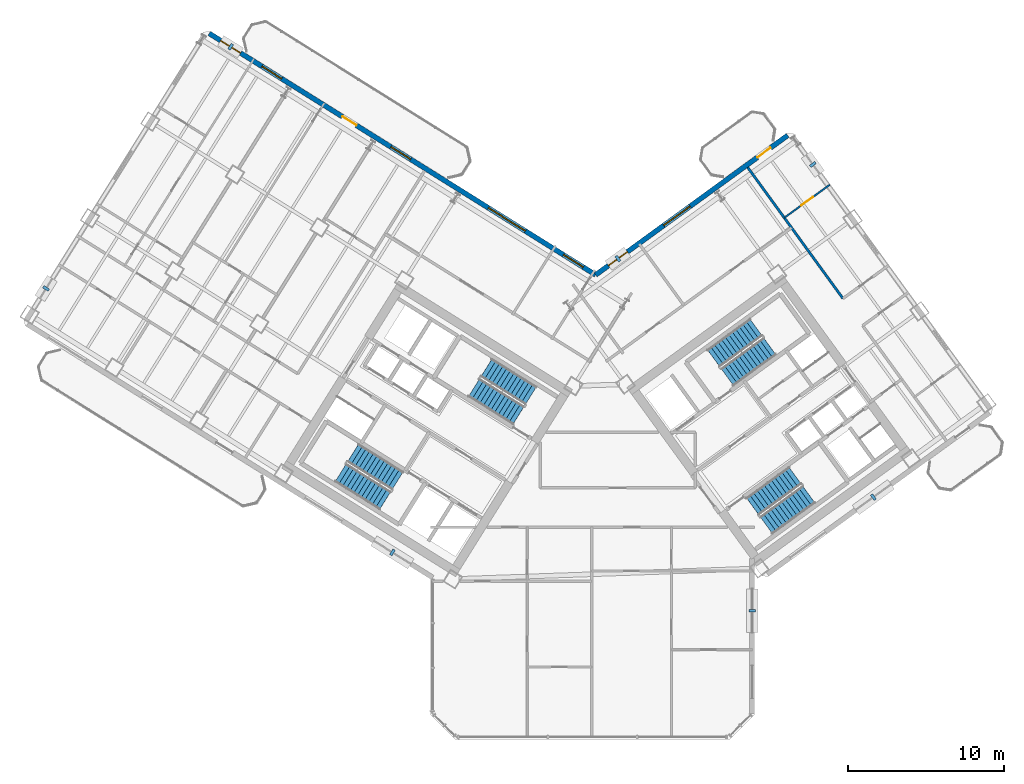
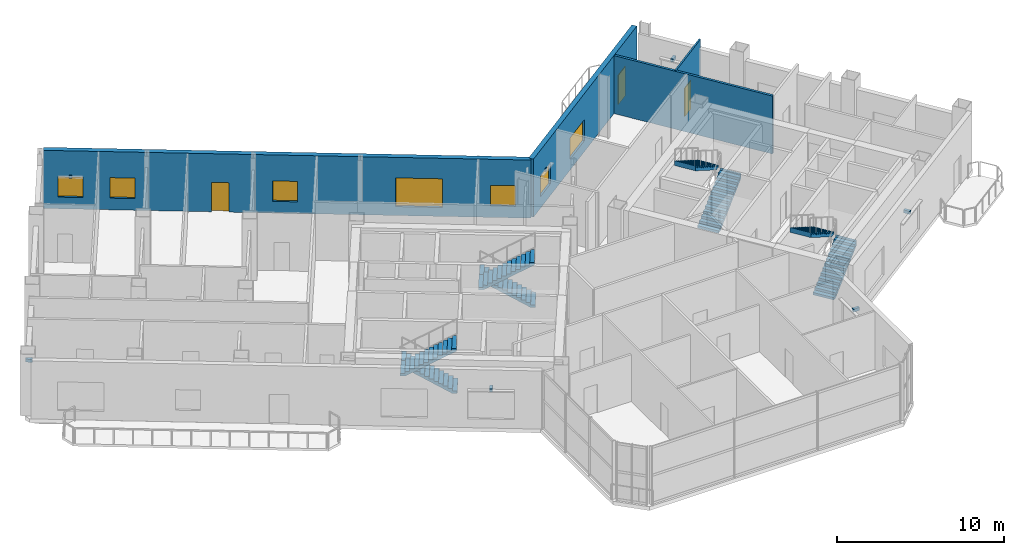
# One storey, part 16 of 21: 8 stair flights, 7 discrete accessories, 7 windows, 4 walls, 3 doors, 10 openings, 4 elements without a shape of their own.
"""IFC4 building model written with IfcOpenShell, lengths in metres."""

from ifc_helpers import new_model, si_unit, direction, frame, frame_2d, origin, origin_2d, place, context, subcontext, project, spatial, polyline, rectangle, outline, extrude, source, transform, mapped, material, layer, layer_set, type_object, element, fill, aggregate, save


model = new_model("IFC4")

# Units and contexts
model_context = context("Model", 3, precision=1e-05, world=origin(), true_north=direction((0.0, 1.0)))
body_context = subcontext(model_context, "Body", "Model", "MODEL_VIEW")
ifc_project = project(units=[si_unit("LENGTHUNIT", "METRE"), si_unit("AREAUNIT", "SQUARE_METRE"), si_unit("VOLUMEUNIT", "CUBIC_METRE"), si_unit("PLANEANGLEUNIT", "RADIAN"), si_unit("MASSUNIT", "GRAM", prefix="KILO")], contexts=[model_context])

# Site, building, storey
site_placement = place(None, origin())
site = spatial("IfcSite", under=ifc_project, at=site_placement, CompositionType="ELEMENT")
building_placement = place(site_placement, origin())
building = spatial("IfcBuilding", under=site, at=building_placement, Name="Tlacorven Tower", CompositionType="ELEMENT")
storey_placement = place(building_placement, frame((0.0, 0.0, 100.800048828125)))
storey = spatial("IfcBuildingStorey", under=building, at=storey_placement, Name="L25", CompositionType="ELEMENT", Elevation=100.800048828125)

# Wall
ifc_material_1 = material(Name="Gypsum plasterboard acoustic partition", Category="gypsum")
ifc_layer_1 = layer(ifc_material_1, 0.159912109375)
ifc_layer_set_1 = layer_set([ifc_layer_1], Name="Gypsum plasterboard acoustic partition")
wall_type_1 = type_object("IfcWallType", Name="WL-DEM-160", PredefinedType="PARTITIONING", material=ifc_layer_set_1)
wall_1_placement = place(storey_placement, frame((58.06689453125, 30.080078125, 0.0), z_axis=(0.0, 0.0, 1.0), x_axis=(-0.587787785243, 0.809015154073, 0.0)))
element("IfcWall", 1, at=wall_1_placement, inside=storey, type_object=wall_type_1, Name="L25 partition 92", PredefinedType="PARTITIONING", context=body_context, shape_type="SweptSolid", body=[
    extrude(rectangle(XDim=10.400146484375, YDim=0.159912109375, at=frame_2d((5.2001953125, 0.0))), origin(), (0.0, 0.0, 1.0), 4.239990234375),
])

# Wall, openings, door, windows
ifc_material_2 = material(Name="Precast concrete C45/55", Category="concrete")
ifc_layer_2 = layer(ifc_material_2, 0.320068359375)
ifc_layer_set_2 = layer_set([ifc_layer_2], Name="Precast concrete C45/55")
wall_type_2 = type_object("IfcWallType", Name="WL-EXT-320", PredefinedType="STANDARD", material=ifc_layer_set_2)
wall_2_placement = place(storey_placement, frame((17.423828125, 47.083251953125, 0.0), z_axis=(0.0, 0.0, 1.0), x_axis=(0.848049927979, -0.529916332693, 0.0)))
wall_2 = element("IfcWall", 2, at=wall_2_placement, inside=storey, type_object=wall_type_2, Name="L25 Masonry-Frame Recessed Facade Wall 3", PredefinedType="STANDARD", context=body_context, shape_type="SweptSolid", body=[
    extrude(rectangle(XDim=29.22314453125, YDim=0.320068359375, at=frame_2d((14.611572265625, 0.0))), origin(), (0.0, 0.0, 1.0), 4.25),
])
opening_1_placement = place(wall_2_placement, frame((10.072265625, 0.0, 0.0)))
opening_1 = element("IfcOpeningElement", 3, at=opening_1_placement, cuts=wall_2, Name="Opening D06", PredefinedType="OPENING", context=body_context, shape_type="SweptSolid", body=[
    extrude(rectangle(XDim=1.050048828125, YDim=2.14990234375, at=frame_2d((0.52490234375, 1.074951171875))), frame((0.0, 0.169921875, 0.0), z_axis=(0.0, -1.0, 0.0), x_axis=(1.0, 0.0, 0.0)), (0.0, 0.0, 1.0), 0.340087890625),
])
opening_2_placement = place(wall_2_placement, frame((0.869384765625, 0.0, 0.85009765625)))
opening_2 = element("IfcOpeningElement", 4, at=opening_2_placement, cuts=wall_2, Name="Opening WN02", PredefinedType="OPENING", context=body_context, shape_type="SweptSolid", body=[
    extrude(rectangle(XDim=1.5, YDim=1.5, at=frame_2d((0.75, 0.75))), frame((0.0, 0.169921875, 0.0), z_axis=(0.0, -1.0, 0.0), x_axis=(1.0, 0.0, 0.0)), (0.0, 0.0, 1.0), 0.340087890625),
])
opening_3_placement = place(wall_2_placement, frame((3.981201171875, 0.0, 0.85009765625)))
opening_3 = element("IfcOpeningElement", 5, at=opening_3_placement, cuts=wall_2, Name="Opening WN02", PredefinedType="OPENING", context=body_context, shape_type="SweptSolid", body=[
    extrude(rectangle(XDim=1.5, YDim=1.5, at=frame_2d((0.75, 0.75))), frame((0.0, 0.169921875, 0.0), z_axis=(0.0, -1.0, 0.0), x_axis=(1.0, 0.0, 0.0)), (0.0, 0.0, 1.0), 0.340087890625),
])
opening_4_placement = place(wall_2_placement, frame((13.73876953125, 0.0, 0.85009765625)))
opening_4 = element("IfcOpeningElement", 6, at=opening_4_placement, cuts=wall_2, Name="Opening WN02", PredefinedType="OPENING", context=body_context, shape_type="SweptSolid", body=[
    extrude(rectangle(XDim=1.5, YDim=1.5, at=frame_2d((0.75, 0.75))), frame((0.0, 0.169921875, 0.0), z_axis=(0.0, -1.0, 0.0), x_axis=(1.0, 0.0, 0.0)), (0.0, 0.0, 1.0), 0.340087890625),
])
opening_5_placement = place(wall_2_placement, frame((21.11376953125, 0.0, 0.64990234375)))
opening_5 = element("IfcOpeningElement", 7, at=opening_5_placement, cuts=wall_2, Name="Opening WN13", PredefinedType="OPENING", context=body_context, shape_type="SweptSolid", body=[
    extrude(rectangle(XDim=2.800048828125, YDim=2.10009765625, at=frame_2d((1.39990234375, 1.050048828125))), frame((0.0, 0.169921875, 0.0), z_axis=(0.0, -1.0, 0.0), x_axis=(1.0, 0.0, 0.0)), (0.0, 0.0, 1.0), 0.340087890625),
])
opening_6_placement = place(wall_2_placement, frame((26.78369140625, 0.0, 0.85009765625)))
opening_6 = element("IfcOpeningElement", 8, at=opening_6_placement, cuts=wall_2, Name="Opening WN02", PredefinedType="OPENING", context=body_context, shape_type="SweptSolid", body=[
    extrude(rectangle(XDim=1.5, YDim=1.5, at=frame_2d((0.75, 0.75))), frame((0.0, 0.169921875, 0.0), z_axis=(0.0, -1.0, 0.0), x_axis=(1.0, 0.0, 0.0)), (0.0, 0.0, 1.0), 0.340087890625),
])
ifc_material_3 = material(Name="Powder-coated aluminium and timber door", Category="wood")
door_type_1 = type_object("IfcDoorType", Name="DR-EXT-BALC-1050", OperationType="NOTDEFINED", PredefinedType="DOOR", material=ifc_material_3)
shared_shape_1 = source(origin(), body_context, "Body", "SweptSolid", [
    extrude(rectangle(XDim=1.050048828125, YDim=2.14990234375, at=frame_2d((0.52490234375, 1.074951171875))), frame((0.0, 0.02490234375, 0.0), z_axis=(0.0, -1.0, 0.0), x_axis=(1.0, 0.0, 0.0)), (0.0, 0.0, 1.0), 0.050048828125),
])
door_1_placement = place(opening_1_placement, origin())
door_1 = element("IfcDoor", 9, at=door_1_placement, inside=storey, type_object=door_type_1, Name="L25 Outdoor Access Door BAL-L25-W-IN", OperationType="SINGLE_SWING_RIGHT", OverallHeight=2.14990234375, OverallWidth=1.050048828125, PredefinedType="DOOR", context=body_context, shape_type="MappedRepresentation", body=[
    mapped(shared_shape_1, transform((0.0, 0.0, 0.0), scale=1.0)),
])
fill(opening_1, door_1)
ifc_material_4 = material(Name="Dark solar low-E double glazing in anodised aluminium frame", Category="aluminium")
window_type_1 = type_object("IfcWindowType", Name="WN-APT-1500X1650", PartitioningType="SINGLE_PANEL", PredefinedType="WINDOW", material=ifc_material_4)
shared_shape_2 = source(origin(), body_context, "Body", "SweptSolid", [
    extrude(rectangle(XDim=1.5, YDim=1.5, at=frame_2d((0.75, 0.75))), frame((0.0, 0.030029296875, 0.0), z_axis=(0.0, -1.0, 0.0), x_axis=(1.0, 0.0, 0.0)), (0.0, 0.0, 1.0), 0.06005859375),
])
window_1_placement = place(opening_2_placement, origin())
window_1 = element("IfcWindow", 10, at=window_1_placement, inside=storey, type_object=window_type_1, Name="L25 Recessed Masonry-Frame Window L25-03.1", OverallHeight=1.5, OverallWidth=1.5, PartitioningType="SINGLE_PANEL", PredefinedType="WINDOW", context=body_context, shape_type="MappedRepresentation", body=[
    mapped(shared_shape_2, transform((0.0, 0.0, 0.0), scale=1.0)),
])
fill(opening_2, window_1)
window_2_placement = place(opening_3_placement, origin())
window_2 = element("IfcWindow", 11, at=window_2_placement, inside=storey, type_object=window_type_1, Name="L25 Recessed Masonry-Frame Window L25-03.2", OverallHeight=1.5, OverallWidth=1.5, PartitioningType="SINGLE_PANEL", PredefinedType="WINDOW", context=body_context, shape_type="MappedRepresentation", body=[
    mapped(shared_shape_2, transform((0.0, 0.0, 0.0), scale=1.0)),
])
fill(opening_3, window_2)
window_3_placement = place(opening_4_placement, origin())
window_3 = element("IfcWindow", 12, at=window_3_placement, inside=storey, type_object=window_type_1, Name="L25 Recessed Masonry-Frame Window L25-03.3", OverallHeight=1.5, OverallWidth=1.5, PartitioningType="SINGLE_PANEL", PredefinedType="WINDOW", context=body_context, shape_type="MappedRepresentation", body=[
    mapped(shared_shape_2, transform((0.0, 0.0, 0.0), scale=1.0)),
])
fill(opening_4, window_3)
window_4_placement = place(opening_6_placement, origin())
window_4 = element("IfcWindow", 13, at=window_4_placement, inside=storey, type_object=window_type_1, Name="L25 Recessed Masonry-Frame Window L25-03.5", OverallHeight=1.5, OverallWidth=1.5, PartitioningType="SINGLE_PANEL", PredefinedType="WINDOW", context=body_context, shape_type="MappedRepresentation", body=[
    mapped(shared_shape_2, transform((0.0, 0.0, 0.0), scale=1.0)),
])
fill(opening_6, window_4)
window_type_2 = type_object("IfcWindowType", Name="WN-SKY-2800X2400", PartitioningType="SINGLE_PANEL", PredefinedType="WINDOW", material=ifc_material_4)
shared_shape_3 = source(origin(), body_context, "Body", "SweptSolid", [
    extrude(rectangle(XDim=2.800048828125, YDim=2.10009765625, at=frame_2d((1.39990234375, 1.050048828125))), frame((0.0, 0.030029296875, 0.0), z_axis=(0.0, -1.0, 0.0), x_axis=(1.0, 0.0, 0.0)), (0.0, 0.0, 1.0), 0.06005859375),
])
window_5_placement = place(opening_5_placement, origin())
window_5 = element("IfcWindow", 14, at=window_5_placement, inside=storey, type_object=window_type_2, Name="L25 Recessed Masonry-Frame Window L25-03.4", OverallHeight=2.10009765625, OverallWidth=2.800048828125, PartitioningType="SINGLE_PANEL", PredefinedType="WINDOW", context=body_context, shape_type="MappedRepresentation", body=[
    mapped(shared_shape_3, transform((0.0, 0.0, 0.0), scale=1.0)),
])
fill(opening_5, window_5)

wall_3_placement = place(storey_placement, frame((42.20654296875, 31.597412109375, 0.0), z_axis=(0.0, 0.0, 1.0), x_axis=(0.809020333377, 0.587780656523, 0.0)))
wall_3 = element("IfcWall", 15, at=wall_3_placement, inside=storey, type_object=wall_type_2, Name="L25 Masonry-Frame Recessed Facade Wall 4", PredefinedType="STANDARD", context=body_context, shape_type="SweptSolid", body=[
    extrude(rectangle(XDim=15.222900390625, YDim=0.320068359375, at=frame_2d((7.611328125, 0.0))), origin(), (0.0, 0.0, 1.0), 4.25),
])
opening_7_placement = place(wall_3_placement, frame((12.81982421875, 0.0, 0.0)))
opening_7 = element("IfcOpeningElement", 16, at=opening_7_placement, cuts=wall_3, Name="Opening D06", PredefinedType="OPENING", context=body_context, shape_type="SweptSolid", body=[
    extrude(rectangle(XDim=1.050048828125, YDim=2.14990234375, at=frame_2d((0.52490234375, 1.074951171875))), frame((0.0, 0.169921875, 0.0), z_axis=(0.0, -1.0, 0.0), x_axis=(1.0, 0.0, 0.0)), (0.0, 0.0, 1.0), 0.340087890625),
])
opening_8_placement = place(wall_3_placement, frame((1.017822265625, 0.0, 0.85009765625)))
opening_8 = element("IfcOpeningElement", 17, at=opening_8_placement, cuts=wall_3, Name="Opening WN02", PredefinedType="OPENING", context=body_context, shape_type="SweptSolid", body=[
    extrude(rectangle(XDim=1.5, YDim=1.5, at=frame_2d((0.75, 0.75))), frame((0.0, 0.169921875, 0.0), z_axis=(0.0, -1.0, 0.0), x_axis=(1.0, 0.0, 0.0)), (0.0, 0.0, 1.0), 0.340087890625),
])
opening_9_placement = place(wall_3_placement, frame((5.394287109375, 0.0, 0.800048828125)))
opening_9 = element("IfcOpeningElement", 18, at=opening_9_placement, cuts=wall_3, Name="Opening WN04", PredefinedType="OPENING", context=body_context, shape_type="SweptSolid", body=[
    extrude(rectangle(XDim=2.10009765625, YDim=1.550048828125, at=frame_2d((1.050048828125, 0.77490234375))), frame((0.0, 0.169921875, 0.0), z_axis=(0.0, -1.0, 0.0), x_axis=(1.0, 0.0, 0.0)), (0.0, 0.0, 1.0), 0.340087890625),
])
door_2_placement = place(opening_7_placement, origin())
door_2 = element("IfcDoor", 19, at=door_2_placement, inside=storey, type_object=door_type_1, Name="L25 Outdoor Access Door BAL-L25-E-IN", OperationType="SINGLE_SWING_RIGHT", OverallHeight=2.14990234375, OverallWidth=1.050048828125, PredefinedType="DOOR", context=body_context, shape_type="MappedRepresentation", body=[
    mapped(shared_shape_1, transform((0.0, 0.0, 0.0), scale=1.0)),
])
fill(opening_7, door_2)
window_type_3 = type_object("IfcWindowType", Name="WN-APT-2100X1750", PartitioningType="SINGLE_PANEL", PredefinedType="WINDOW", material=ifc_material_4)
shared_shape_4 = source(origin(), body_context, "Body", "SweptSolid", [
    extrude(rectangle(XDim=2.10009765625, YDim=1.550048828125, at=frame_2d((1.050048828125, 0.77490234375))), frame((0.0, 0.030029296875, 0.0), z_axis=(0.0, -1.0, 0.0), x_axis=(1.0, 0.0, 0.0)), (0.0, 0.0, 1.0), 0.06005859375),
])
window_6_placement = place(opening_9_placement, origin())
window_6 = element("IfcWindow", 20, at=window_6_placement, inside=storey, type_object=window_type_3, Name="L25 Recessed Masonry-Frame Window L25-04.2", OverallHeight=1.550048828125, OverallWidth=2.10009765625, PartitioningType="SINGLE_PANEL", PredefinedType="WINDOW", context=body_context, shape_type="MappedRepresentation", body=[
    mapped(shared_shape_4, transform((0.0, 0.0, 0.0), scale=1.0)),
])
fill(opening_9, window_6)
window_7_placement = place(opening_8_placement, origin())
window_7 = element("IfcWindow", 21, at=window_7_placement, inside=storey, type_object=window_type_1, Name="L25 Recessed Masonry-Frame Window L25-04.1", OverallHeight=1.5, OverallWidth=1.5, PartitioningType="SINGLE_PANEL", PredefinedType="WINDOW", context=body_context, shape_type="MappedRepresentation", body=[
    mapped(shared_shape_2, transform((0.0, 0.0, 0.0), scale=1.0)),
])
fill(opening_8, window_7)

# Wall, opening, door
ifc_material_5 = material(Name="Gypsum plasterboard partition", Category="gypsum")
ifc_layer_3 = layer(ifc_material_5, 0.110107421875)
ifc_layer_set_3 = layer_set([ifc_layer_3], Name="Gypsum plasterboard partition")
wall_type_3 = type_object("IfcWallType", Name="WL-INT-110", PredefinedType="PARTITIONING", material=ifc_layer_set_3)
wall_4_placement = place(storey_placement, frame((54.3037109375, 35.25927734375, 0.0), z_axis=(0.0, 0.0, 1.0), x_axis=(0.809005039917, 0.58780170584, 0.0)))
wall_4 = element("IfcWall", 22, at=wall_4_placement, inside=storey, type_object=wall_type_3, Name="L25 partition 96", PredefinedType="PARTITIONING", context=body_context, shape_type="SweptSolid", body=[
    extrude(rectangle(XDim=3.610107421875, YDim=0.110107421875, at=frame_2d((1.80517578125, 0.0))), origin(), (0.0, 0.0, 1.0), 4.239990234375),
])
opening_10_placement = place(wall_4_placement, frame((1.344970703125, 0.0, 0.0)))
opening_10 = element("IfcOpeningElement", 23, at=opening_10_placement, cuts=wall_4, Name="Opening D12", PredefinedType="OPENING", context=body_context, shape_type="SweptSolid", body=[
    extrude(rectangle(XDim=0.919921875, YDim=2.080078125, at=frame_2d((0.4599609375, 1.0400390625))), frame((0.0, 0.06494140625, 0.0), z_axis=(0.0, -1.0, 0.0), x_axis=(1.0, 0.0, 0.0)), (0.0, 0.0, 1.0), 0.130126953125),
])
door_type_2 = type_object("IfcDoorType", Name="DR-INT-ROOM-0920", OperationType="NOTDEFINED", PredefinedType="DOOR", material=ifc_material_3)
shared_shape_5 = source(origin(), body_context, "Body", "SweptSolid", [
    extrude(rectangle(XDim=0.919921875, YDim=2.080078125, at=frame_2d((0.4599609375, 1.0400390625))), frame((0.0, 0.02490234375, 0.0), z_axis=(0.0, -1.0, 0.0), x_axis=(1.0, 0.0, 0.0)), (0.0, 0.0, 1.0), 0.050048828125),
])
door_3_placement = place(opening_10_placement, origin())
door_3 = element("IfcDoor", 24, at=door_3_placement, inside=storey, type_object=door_type_2, Name="L25 door 061", OperationType="SINGLE_SWING_LEFT", OverallHeight=2.080078125, OverallWidth=0.919921875, PredefinedType="DOOR", context=body_context, shape_type="MappedRepresentation", body=[
    mapped(shared_shape_5, transform((0.0, 0.0, 0.0), scale=1.0)),
])
fill(opening_10, door_3)

# Stair, stair flights
ifc_material_6 = material(Name="Concrete C40/50", Category="concrete")
stair_type = type_object("IfcStairType", Name="ST-CORE-DLG", PredefinedType="HALF_TURN_STAIR", material=ifc_material_6)
stair_1_placement = place(storey_placement, origin())
stair_1 = element("IfcStair", 25, at=stair_1_placement, inside=storey, type_object=stair_type, Name="L25 Protected Exit Stair West 1", PredefinedType="HALF_TURN_STAIR")
stair_flight_type = type_object("IfcStairFlightType", Name="SFL-RC-1380", PredefinedType="STRAIGHT", material=ifc_material_6)
shared_shape_6 = source(origin(), body_context, "Body", "SweptSolid", [
    extrude(outline(polyline([(-0.0029296875, -0.0029296875), (-0.0029296875, 0.173095703125), (0.280029296875, 0.173095703125), (0.280029296875, 0.34619140625), (0.56005859375, 0.34619140625), (0.56005859375, 0.519287109375), (0.840087890625, 0.519287109375), (0.840087890625, 0.6923828125), (1.1201171875, 0.6923828125), (1.1201171875, 0.865478515625), (1.39990234375, 0.865478515625), (1.39990234375, 1.03857421875), (1.679931640625, 1.03857421875), (1.679931640625, 1.21142578125), (1.9599609375, 1.21142578125), (1.9599609375, 1.384521484375), (2.239990234375, 1.384521484375), (2.239990234375, 1.5576171875), (2.52001953125, 1.5576171875), (2.52001953125, 1.730712890625), (2.800048828125, 1.730712890625), (2.800048828125, 1.90380859375), (3.080078125, 1.90380859375), (3.080078125, 2.076904296875), (3.360107421875, 2.076904296875), (3.360107421875, 2.25), (3.363037109375, 2.25), (3.363037109375, 1.888916015625), (3.360107421875, 1.888916015625), (0.30419921875, 0.0), (0.30419921875, -0.0029296875), (-0.0029296875, -0.0029296875)])), frame((0.0, 0.68994140625, 0.0), z_axis=(0.0, -1.0, 0.0), x_axis=(1.0, 0.0, 0.0)), (0.0, 0.0, 1.0), 1.3798828125),
])
stair_flight_1_placement = place(storey_placement, frame((29.499755859375, 18.39453125, 0.0), z_axis=(0.0, 0.0, 1.0), x_axis=(-0.848048096156, 0.529919264233, 0.0)))
stair_flight_1 = element("IfcStairFlight", 26, at=stair_flight_1_placement, type_object=stair_flight_type, Name="ST-W1 flight 1", NumberOfRisers=13, NumberOfTreads=12, PredefinedType="STRAIGHT", RiserHeight=0.173076923, TreadLength=0.28, context=body_context, shape_type="MappedRepresentation", body=[
    mapped(shared_shape_6, transform((0.0, 0.0, 0.0), scale=1.0)),
])
stair_flight_2_placement = place(storey_placement, frame((25.85546875, 18.903076171875, 2.25), z_axis=(0.0, 0.0, 1.0), x_axis=(0.848048096156, -0.529919264233, 0.0)))
stair_flight_2 = element("IfcStairFlight", 27, at=stair_flight_2_placement, type_object=stair_flight_type, Name="ST-W1 flight 2", NumberOfRisers=13, NumberOfTreads=12, PredefinedType="STRAIGHT", RiserHeight=0.173076923, TreadLength=0.28, context=body_context, shape_type="MappedRepresentation", body=[
    mapped(shared_shape_6, transform((0.0, 0.0, 0.0), scale=1.0)),
])
aggregate(stair_1, [stair_flight_1, stair_flight_2])

stair_2_placement = place(storey_placement, origin())
stair_2 = element("IfcStair", 28, at=stair_2_placement, inside=storey, type_object=stair_type, Name="L25 Protected Exit Stair West 2", PredefinedType="HALF_TURN_STAIR")
stair_flight_3_placement = place(storey_placement, frame((38.051513671875, 23.852294921875, 0.0), z_axis=(0.0, 0.0, 1.0), x_axis=(-0.848048096156, 0.529919264233, 0.0)))
stair_flight_3 = element("IfcStairFlight", 29, at=stair_flight_3_placement, type_object=stair_flight_type, Name="ST-W2 flight 1", NumberOfRisers=13, NumberOfTreads=12, PredefinedType="STRAIGHT", RiserHeight=0.173076923, TreadLength=0.28, context=body_context, shape_type="MappedRepresentation", body=[
    mapped(shared_shape_6, transform((0.0, 0.0, 0.0), scale=1.0)),
])
stair_flight_4_placement = place(storey_placement, frame((34.406982421875, 24.36083984375, 2.25), z_axis=(0.0, 0.0, 1.0), x_axis=(0.848048096156, -0.529919264233, 0.0)))
stair_flight_4 = element("IfcStairFlight", 30, at=stair_flight_4_placement, type_object=stair_flight_type, Name="ST-W2 flight 2", NumberOfRisers=13, NumberOfTreads=12, PredefinedType="STRAIGHT", RiserHeight=0.173076923, TreadLength=0.28, context=body_context, shape_type="MappedRepresentation", body=[
    mapped(shared_shape_6, transform((0.0, 0.0, 0.0), scale=1.0)),
])
aggregate(stair_2, [stair_flight_3, stair_flight_4])

stair_3_placement = place(storey_placement, origin())
stair_3 = element("IfcStair", 31, at=stair_3_placement, inside=storey, type_object=stair_type, Name="L25 Protected Exit Stair East 1", PredefinedType="HALF_TURN_STAIR")
stair_flight_5_placement = place(storey_placement, frame((50.6533203125, 25.0400390625, 0.0), z_axis=(0.0, 0.0, 1.0), x_axis=(0.809016994375, 0.587785252292, 0.0)))
stair_flight_5 = element("IfcStairFlight", 32, at=stair_flight_5_placement, type_object=stair_flight_type, Name="ST-E1 flight 1", NumberOfRisers=13, NumberOfTreads=12, PredefinedType="STRAIGHT", RiserHeight=0.173076923, TreadLength=0.28, context=body_context, shape_type="MappedRepresentation", body=[
    mapped(shared_shape_6, transform((0.0, 0.0, 0.0), scale=1.0)),
])
stair_flight_6_placement = place(storey_placement, frame((52.489990234375, 28.228515625, 2.25), z_axis=(0.0, 0.0, 1.0), x_axis=(-0.809016994375, -0.587785252292, 0.0)))
stair_flight_6 = element("IfcStairFlight", 33, at=stair_flight_6_placement, type_object=stair_flight_type, Name="ST-E1 flight 2", NumberOfRisers=13, NumberOfTreads=12, PredefinedType="STRAIGHT", RiserHeight=0.173076923, TreadLength=0.28, context=body_context, shape_type="MappedRepresentation", body=[
    mapped(shared_shape_6, transform((0.0, 0.0, 0.0), scale=1.0)),
])
aggregate(stair_3, [stair_flight_5, stair_flight_6])

stair_4_placement = place(storey_placement, origin())
stair_4 = element("IfcStair", 34, at=stair_4_placement, inside=storey, type_object=stair_type, Name="L25 Protected Exit Stair East 2", PredefinedType="HALF_TURN_STAIR")
stair_flight_7_placement = place(storey_placement, frame((53.157470703125, 15.536865234375, 0.0), z_axis=(0.0, 0.0, 1.0), x_axis=(0.809016994375, 0.587785252292, 0.0)))
stair_flight_7 = element("IfcStairFlight", 35, at=stair_flight_7_placement, type_object=stair_flight_type, Name="ST-E2 flight 1", NumberOfRisers=13, NumberOfTreads=12, PredefinedType="STRAIGHT", RiserHeight=0.173076923, TreadLength=0.28, context=body_context, shape_type="MappedRepresentation", body=[
    mapped(shared_shape_6, transform((0.0, 0.0, 0.0), scale=1.0)),
])
stair_flight_8_placement = place(storey_placement, frame((54.994140625, 18.725341796875, 2.25), z_axis=(0.0, 0.0, 1.0), x_axis=(-0.809016994375, -0.587785252292, 0.0)))
stair_flight_8 = element("IfcStairFlight", 36, at=stair_flight_8_placement, type_object=stair_flight_type, Name="ST-E2 flight 2", NumberOfRisers=13, NumberOfTreads=12, PredefinedType="STRAIGHT", RiserHeight=0.173076923, TreadLength=0.28, context=body_context, shape_type="MappedRepresentation", body=[
    mapped(shared_shape_6, transform((0.0, 0.0, 0.0), scale=1.0)),
])
aggregate(stair_4, [stair_flight_7, stair_flight_8])

# Discrete accessories
ifc_material_7 = material(Name="Steel S355J2", Category="steel")
discrete_accessory_type = type_object("IfcDiscreteAccessoryType", Name="ACC-BRK-01", PredefinedType="BRACKET", material=ifc_material_7)
shared_shape_7 = source(origin(), body_context, "Body", "SweptSolid", [
    extrude(rectangle(XDim=0.179931640625, YDim=0.419921875, at=origin_2d()), origin(), (0.0, 0.0, 1.0), 0.219970703125),
])
for number, where, z_axis, x_axis, name in (
    (37, (29.171630859375, 13.800537109375, 2.68017578125), (0.0, 0.0, 1.0), (-0.848048152806, 0.529919173576, 0.0), "L25 Sunshade Bracket L25-01.1"),
    (38, (6.96044921875, 30.7275390625, 2.27978515625), (0.0, 0.0, 1.0), (0.529919147866, 0.848048168871, 0.0), "L25 Sunshade Bracket L25-02.1"),
    (39, (18.797119140625, 46.22509765625, 2.27978515625), (0.0, 0.0, 1.0), (0.848048220257, -0.52991906563, 0.0), "L25 Sunshade Bracket L25-03.1"),
    (40, (43.63671875, 32.636474609375, 2.27978515625), (0.0, 0.0, 1.0), (0.809016703631, 0.587785652468, 0.0), "L25 Sunshade Bracket L25-04.1"),
    (41, (56.134521484375, 38.67724609375, 2.27978515625), (0.0, 0.0, 1.0), (0.587785363163, -0.809016913823, 0.0), "L25 Sunshade Bracket L25-05.1"),
    (42, (60.015625, 17.343017578125, 2.68017578125), (0.0, 0.0, 1.0), (-0.809016829126, -0.587785479738, 0.0), "L25 Sunshade Bracket L25-06.1"),
    (43, (52.239990234375, 10.053955078125, 2.68017578125), (0.0, 0.0, 1.0), (0.0, -1.0, 0.0), "L25 Sunshade Bracket L25-07.1"),
):
    element("IfcDiscreteAccessory", number, at=place(storey_placement, frame(where, z_axis=z_axis, x_axis=x_axis)), inside=storey, type_object=discrete_accessory_type, Name=name, PredefinedType="BRACKET", context=body_context, shape_type="MappedRepresentation", body=[
        mapped(shared_shape_7, transform((0.0, 0.0, 0.0), scale=1.0)),
    ])

save(model, "model.ifc")
